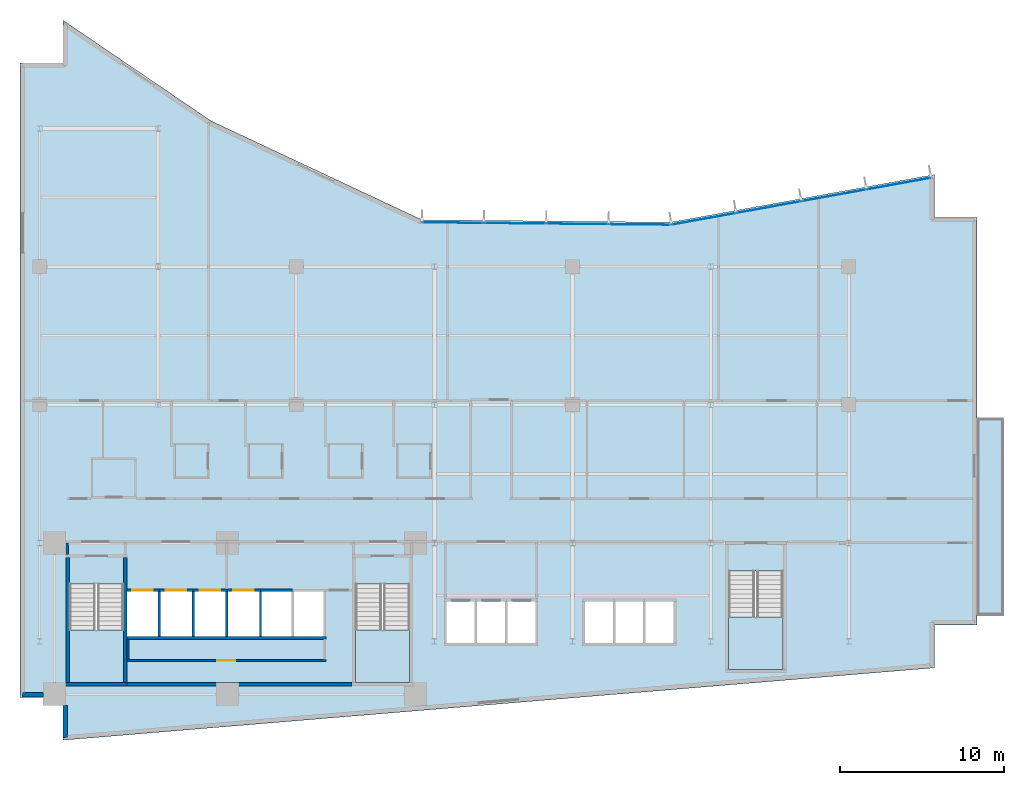
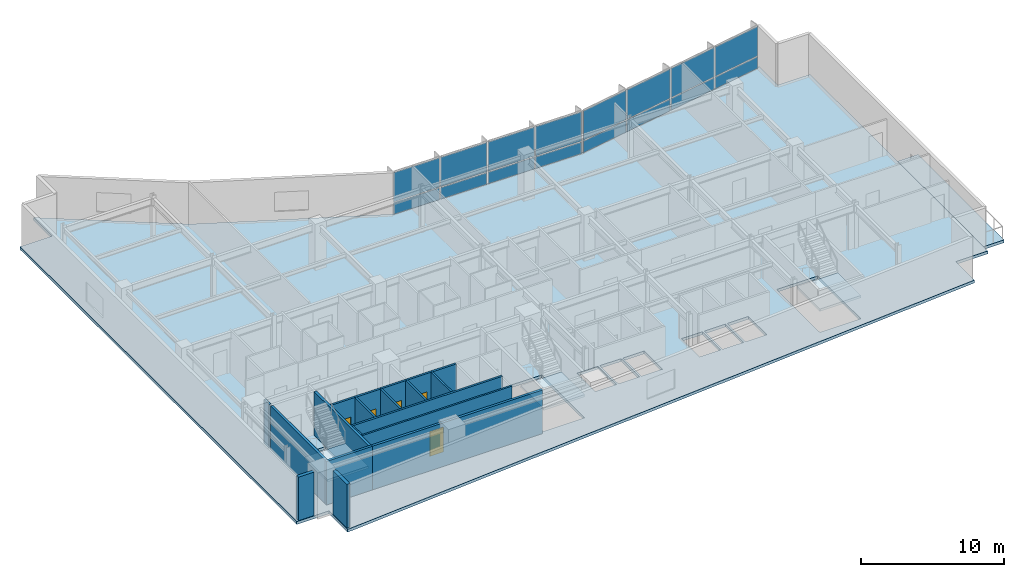
# One storey, part 9 of 18: 19 walls, 16 plates, 5 doors, 5 slabs, 5 openings, 5 elements without a shape of their own.
"""IFC4 building model written with IfcOpenShell, lengths in metres."""

import ifcopenshell
import ifcopenshell.guid

model = None  # the IFC model being written
_history = None  # IfcOwnerHistory: only IFC2X3 demands one
_inside = {}  # id of a spatial element -> (the spatial element, [elements in it])
_under = {}  # id of a project, library or spatial element -> (it, [spatial elements below it])
_declared = {}  # id of a project -> (the project, [libraries it declares])
_typed = {}  # id of a type object -> (the type object, [elements of that type])
_made_of = {}  # id of a material, layer set ... -> (it, [elements and type objects made of it])


def new_model(schema):
    """Start an empty IFC model of exactly this schema.

    Asked for "IFC4X3", IfcOpenShell would pick the latest addendum, in which some entities
    have other attributes; the version numbers below select the first issue.
    IFC2X3 requires an IfcOwnerHistory on every rooted entity: one is made here for all.
    """
    global model, _history
    if schema == "IFC4X3":
        model = ifcopenshell.file(schema_version=(4, 3, 0, 0))
    else:
        model = ifcopenshell.file(schema=schema)
    _inside.clear()
    _under.clear()
    _declared.clear()
    _typed.clear()
    _made_of.clear()
    _history = None
    if model.schema == "IFC2X3":
        org = make("IfcOrganization", Name="unknown")
        user = make(
            "IfcPersonAndOrganization",
            ThePerson=make("IfcPerson", FamilyName="unknown"),
            TheOrganization=org,
        )
        app = make(
            "IfcApplication",
            ApplicationDeveloper=org,
            Version="unknown",
            ApplicationFullName="unknown",
            ApplicationIdentifier="unknown",
        )
        _history = make(
            "IfcOwnerHistory",
            OwningUser=user,
            OwningApplication=app,
            ChangeAction="ADDED",
            CreationDate=0,
        )
    return model


def make(cls, **values):
    """One entity of the class cls with the attributes given. An attribute that is None is left unset."""
    return model.create_entity(
        cls, **{name: value for name, value in values.items() if value is not None}
    )


def rooted(cls, **values):
    """An entity with a GlobalId (a new one), such as an element, a storey or a relation."""
    return make(cls, GlobalId=ifcopenshell.guid.new(), OwnerHistory=_history, **values)


def si_unit(unit_type, name, prefix=None):
    """IfcSIUnit, for example si_unit("LENGTHUNIT", "METRE", prefix="MILLI")."""
    return make("IfcSIUnit", UnitType=unit_type, Prefix=prefix, Name=name)


def assignment(units):
    """IfcUnitAssignment: the units of a project."""
    return None if units is None else make("IfcUnitAssignment", Units=units)


def point(xyz):
    """IfcCartesianPoint."""
    return None if xyz is None else make("IfcCartesianPoint", Coordinates=xyz)


def direction(xyz):
    """IfcDirection."""
    return None if xyz is None else make("IfcDirection", DirectionRatios=xyz)


def frame(location, z_axis=None, x_axis=None):
    """IfcAxis2Placement3D, a coordinate frame: its origin and axes. An axis left out is left unset."""
    return make(
        "IfcAxis2Placement3D",
        Location=point(location),
        Axis=direction(z_axis),
        RefDirection=direction(x_axis),
    )


def frame_2d(location, x_axis=None):
    """IfcAxis2Placement2D, a coordinate frame in the plane: its origin and x axis."""
    return make(
        "IfcAxis2Placement2D", Location=point(location), RefDirection=direction(x_axis)
    )


def origin():
    """The frame at (0, 0, 0) with its axes left unset."""
    return frame((0.0, 0.0, 0.0))


def origin_2d():
    """The frame at (0, 0) in the plane with its x axis left unset."""
    return frame_2d((0.0, 0.0))


def place(relative_to, where):
    """IfcLocalPlacement: puts the frame where relative to a parent placement (None: the world)."""
    return make(
        "IfcLocalPlacement", PlacementRelTo=relative_to, RelativePlacement=where
    )


def context(
    kind, dimensions, precision=None, world=None, true_north=None, identifier=None
):
    """IfcGeometricRepresentationContext, for example the 3D "Model" context."""
    return make(
        "IfcGeometricRepresentationContext",
        ContextIdentifier=identifier,
        ContextType=kind,
        CoordinateSpaceDimension=dimensions,
        Precision=precision,
        WorldCoordinateSystem=world,
        TrueNorth=true_north,
    )


def subcontext(parent, identifier, kind, view, scale=None):
    """IfcGeometricRepresentationSubContext, for example "Body" below "Model"."""
    return make(
        "IfcGeometricRepresentationSubContext",
        ContextIdentifier=identifier,
        ContextType=kind,
        ParentContext=parent,
        TargetScale=scale,
        TargetView=view,
    )


def project(units=None, contexts=None):
    """IfcProject with its units and contexts."""
    return rooted(
        "IfcProject",
        Name="project",
        RepresentationContexts=contexts,
        UnitsInContext=assignment(units),
    )


def spatial(cls, under=None, at=None, **own):
    """A site, building, storey or space (cls), placed at a placement, below another one or the project."""
    s = rooted(cls, ObjectPlacement=at, **own)
    if under is not None:
        _under.setdefault(under.id(), (under, []))[1].append(s)
    return s


def polyline(points):
    """IfcPolyline through the points."""
    return make("IfcPolyline", Points=[point(p) for p in points])


def profile(cls, at=None, kind="AREA", **sizes):
    """A parametric profile (cls). Its sizes go by their IFC names, for example OverallWidth=200.0."""
    return make(cls, ProfileType=kind, Position=at, **sizes)


def rectangle(**sizes):
    """IfcRectangleProfileDef."""
    return profile("IfcRectangleProfileDef", **sizes)


def outline(outer, holes=None, kind="AREA"):
    """IfcArbitraryClosedProfileDef: a profile drawn as a closed curve; with holes, ...WithVoids."""
    if holes is None:
        return make("IfcArbitraryClosedProfileDef", ProfileType=kind, OuterCurve=outer)
    return make(
        "IfcArbitraryProfileDefWithVoids",
        ProfileType=kind,
        OuterCurve=outer,
        InnerCurves=holes,
    )


def extrude(swept, where, along, depth):
    """IfcExtrudedAreaSolid: the profile swept, set in the frame where, extruded along a direction by depth."""
    return make(
        "IfcExtrudedAreaSolid",
        SweptArea=swept,
        Position=where,
        ExtrudedDirection=direction(along),
        Depth=depth,
    )


def shape(context_of_items, identifier, shape_type, items):
    """IfcShapeRepresentation: the items that make up one representation, for example the "Body"."""
    return make(
        "IfcShapeRepresentation",
        ContextOfItems=context_of_items,
        RepresentationIdentifier=identifier,
        RepresentationType=shape_type,
        Items=items,
    )


def material(Name=None, Category=None):
    """IfcMaterial."""
    return make("IfcMaterial", Name=Name, Category=Category)


def layer(
    of_material, thickness, ventilated=None, Name=None, Category=None, Priority=None
):
    """IfcMaterialLayer: one layer of a wall or slab, of a material (None: an air gap)."""
    return make(
        "IfcMaterialLayer",
        Material=of_material,
        LayerThickness=thickness,
        IsVentilated=ventilated,
        Name=Name,
        Category=Category,
        Priority=Priority,
    )


def layer_set(layers, Name=None):
    """IfcMaterialLayerSet."""
    return make("IfcMaterialLayerSet", MaterialLayers=layers, LayerSetName=Name)


def made_of(thing, what):
    """Note that an element or type object is made of a material, layer set ...; save() writes the relation."""
    if what is not None:
        _made_of.setdefault(what.id(), (what, []))[1].append(thing)
    return thing


def type_object(cls, material=None, **own):
    """A type object (cls), such as IfcWallType, which elements share."""
    return made_of(rooted(cls, **own), material)


def element(
    cls,
    number,
    at=None,
    inside=None,
    cuts=None,
    type_object=None,
    material=None,
    context=None,
    identifier="Body",
    shape_type=None,
    held_by="IfcProductDefinitionShape",
    body=None,
    shapes=None,
    **own,
):
    """One element of the class cls, such as IfcWall. Its Tag is "e" and its number.

    at: its placement. inside: the storey or other place that contains it. cuts: it is an
    opening in that element (IfcRelVoidsElement). A single representation is given by context,
    identifier, shape_type and body (its items); several are given by shapes. held_by: the class
    of the entity that holds the representations. save() writes the other relations.
    """
    e = rooted(cls, Tag="e%d" % number, ObjectPlacement=at, **own)
    if body is not None:
        shapes = [shape(context, identifier, shape_type, body)]
    if shapes is not None:
        e.Representation = make(held_by, Representations=shapes)
    if inside is not None:
        _inside.setdefault(inside.id(), (inside, []))[1].append(e)
    if cuts is not None:
        rooted(
            "IfcRelVoidsElement", RelatingBuildingElement=cuts, RelatedOpeningElement=e
        )
    if type_object is not None:
        _typed.setdefault(type_object.id(), (type_object, []))[1].append(e)
    return made_of(e, material)


def fill(opening, filler):
    """IfcRelFillsElement: the door or window that sits in an opening."""
    return rooted(
        "IfcRelFillsElement",
        RelatingOpeningElement=opening,
        RelatedBuildingElement=filler,
    )


def aggregate(whole, parts):
    """IfcRelAggregates: a whole, such as a stair, and the parts it consists of."""
    return rooted("IfcRelAggregates", RelatingObject=whole, RelatedObjects=parts)


def save(model, path):
    """Write the relations noted so far, then the file.

    IfcRelAggregates (storeys below a building ...), IfcRelContainedInSpatialStructure (elements
    in a storey), IfcRelDefinesByType, IfcRelAssociatesMaterial and IfcRelDeclares: one each for
    every whole, place, type object, material and project.
    """
    for whole, parts in _under.values():
        aggregate(whole, parts)
    for where, things in _inside.values():
        rooted(
            "IfcRelContainedInSpatialStructure",
            RelatedElements=things,
            RelatingStructure=where,
        )
    for kind, things in _typed.values():
        rooted("IfcRelDefinesByType", RelatedObjects=things, RelatingType=kind)
    for what, things in _made_of.values():
        rooted("IfcRelAssociatesMaterial", RelatedObjects=things, RelatingMaterial=what)
    for by, libraries in _declared.values():
        rooted("IfcRelDeclares", RelatingContext=by, RelatedDefinitions=libraries)
    model.write(path)


model = new_model("IFC4")

# Units and contexts
model_context = context("Model", 3, precision=1e-05, world=origin(), true_north=direction((0.0, 1.0)))
body_context = subcontext(model_context, "Body", "Model", "MODEL_VIEW")
ifc_project = project(units=[si_unit("LENGTHUNIT", "METRE"), si_unit("AREAUNIT", "SQUARE_METRE"), si_unit("VOLUMEUNIT", "CUBIC_METRE"), si_unit("PLANEANGLEUNIT", "RADIAN"), si_unit("MASSUNIT", "GRAM", prefix="KILO")], contexts=[model_context])

# Site, building, storey
site_placement = place(None, origin())
site = spatial("IfcSite", under=ifc_project, at=site_placement, CompositionType="ELEMENT")
building_placement = place(site_placement, origin())
building = spatial("IfcBuilding", under=site, at=building_placement, Name="Varnakote Quay Hospital", CompositionType="ELEMENT")
storey_placement = place(building_placement, frame((0.0, 0.0, 69.89990234375)))
storey = spatial("IfcBuildingStorey", under=building, at=storey_placement, Name="L17", CompositionType="ELEMENT", Elevation=69.89990234375)

# Curtain wall, plates
ifc_material_1 = material(Name="Anodised aluminium 6063-T6 Bronze", Category="aluminium")
ifc_layer_1 = layer(ifc_material_1, 0.18994140625)
ifc_layer_set_1 = layer_set([ifc_layer_1], Name="Anodised aluminium 6063-T6 Bronze")
curtain_wall_type = type_object("IfcCurtainWallType", Name="CW-SYS-2", PredefinedType="NOTDEFINED", material=ifc_layer_set_1)
curtain_wall_1_placement = place(storey_placement, origin())
curtain_wall_1 = element("IfcCurtainWall", 1, at=curtain_wall_1_placement, inside=storey, type_object=curtain_wall_type, Name="L17 Unitised Bronze Curtain Wall 1", PredefinedType="NOTDEFINED")
ifc_material_2 = material(Name="Double-glazed acoustic laminated glass", Category="glass")
ifc_layer_2 = layer(ifc_material_2, 0.031982421875)
ifc_layer_set_2 = layer_set([ifc_layer_2], Name="Double-glazed acoustic laminated glass")
plate_type = type_object("IfcPlateType", Name="CW-PNL-GLZ-32", PredefinedType="CURTAIN_PANEL", material=ifc_layer_set_2)
plate_1_placement = place(storey_placement, frame((53.440185546875, 33.84716796875, 0.0751953125), z_axis=(0.0, 0.0, 1.0), x_axis=(-0.984058295766, -0.177846199098, 0.0)))
plate_1 = element("IfcPlate", 2, at=plate_1_placement, type_object=plate_type, Name="-2-L17-1 panel 1.1", PredefinedType="CURTAIN_PANEL", context=body_context, shape_type="SweptSolid", body=[
    extrude(rectangle(XDim=3.914306640625, YDim=0.031982421875, at=origin_2d()), origin(), (0.0, 0.0, 1.0), 0.987548828125),
])
plate_2_placement = place(storey_placement, frame((53.440185546875, 33.84716796875, 1.137451171875), z_axis=(0.0, 0.0, 1.0), x_axis=(-0.984058295766, -0.177846199098, 0.0)))
plate_2 = element("IfcPlate", 3, at=plate_2_placement, type_object=plate_type, Name="-2-L17-1 panel 1.2", PredefinedType="CURTAIN_PANEL", context=body_context, shape_type="SweptSolid", body=[
    extrude(rectangle(XDim=3.914306640625, YDim=0.031982421875, at=origin_2d()), origin(), (0.0, 0.0, 1.0), 2.49755859375),
])
plate_3_placement = place(storey_placement, frame((49.49609375, 33.13427734375, 0.0751953125), z_axis=(0.0, 0.0, 1.0), x_axis=(-0.984058295766, -0.177846199098, 0.0)))
plate_3 = element("IfcPlate", 4, at=plate_3_placement, type_object=plate_type, Name="-2-L17-1 panel 2.1", PredefinedType="CURTAIN_PANEL", context=body_context, shape_type="SweptSolid", body=[
    extrude(rectangle(XDim=3.951904296875, YDim=0.031982421875, at=origin_2d()), origin(), (0.0, 0.0, 1.0), 0.987548828125),
])
plate_4_placement = place(storey_placement, frame((49.49609375, 33.13427734375, 1.137451171875), z_axis=(0.0, 0.0, 1.0), x_axis=(-0.984058295766, -0.177846199098, 0.0)))
plate_4 = element("IfcPlate", 5, at=plate_4_placement, type_object=plate_type, Name="-2-L17-1 panel 2.2", PredefinedType="CURTAIN_PANEL", context=body_context, shape_type="SweptSolid", body=[
    extrude(rectangle(XDim=3.951904296875, YDim=0.031982421875, at=origin_2d()), origin(), (0.0, 0.0, 1.0), 2.49755859375),
])
plate_5_placement = place(storey_placement, frame((45.533447265625, 32.418212890625, 0.0751953125), z_axis=(0.0, 0.0, 1.0), x_axis=(-0.984058295766, -0.177846199098, 0.0)))
plate_5 = element("IfcPlate", 6, at=plate_5_placement, type_object=plate_type, Name="-2-L17-1 panel 3.1", PredefinedType="CURTAIN_PANEL", context=body_context, shape_type="SweptSolid", body=[
    extrude(rectangle(XDim=3.951904296875, YDim=0.031982421875, at=origin_2d()), origin(), (0.0, 0.0, 1.0), 0.987548828125),
])
plate_6_placement = place(storey_placement, frame((45.533447265625, 32.418212890625, 1.137451171875), z_axis=(0.0, 0.0, 1.0), x_axis=(-0.984058295766, -0.177846199098, 0.0)))
plate_6 = element("IfcPlate", 7, at=plate_6_placement, type_object=plate_type, Name="-2-L17-1 panel 3.2", PredefinedType="CURTAIN_PANEL", context=body_context, shape_type="SweptSolid", body=[
    extrude(rectangle(XDim=3.951904296875, YDim=0.031982421875, at=origin_2d()), origin(), (0.0, 0.0, 1.0), 2.49755859375),
])
plate_7_placement = place(storey_placement, frame((41.58935546875, 31.705322265625, 0.0751953125), z_axis=(0.0, 0.0, 1.0), x_axis=(-0.984058295766, -0.177846199098, 0.0)))
plate_7 = element("IfcPlate", 8, at=plate_7_placement, type_object=plate_type, Name="-2-L17-1 panel 4.1", PredefinedType="CURTAIN_PANEL", context=body_context, shape_type="SweptSolid", body=[
    extrude(rectangle(XDim=3.914306640625, YDim=0.031982421875, at=origin_2d()), origin(), (0.0, 0.0, 1.0), 0.987548828125),
])
plate_8_placement = place(storey_placement, frame((41.58935546875, 31.705322265625, 1.137451171875), z_axis=(0.0, 0.0, 1.0), x_axis=(-0.984058295766, -0.177846199098, 0.0)))
plate_8 = element("IfcPlate", 9, at=plate_8_placement, type_object=plate_type, Name="-2-L17-1 panel 4.2", PredefinedType="CURTAIN_PANEL", context=body_context, shape_type="SweptSolid", body=[
    extrude(rectangle(XDim=3.914306640625, YDim=0.031982421875, at=origin_2d()), origin(), (0.0, 0.0, 1.0), 2.49755859375),
])
aggregate(curtain_wall_1, [plate_1, plate_2, plate_3, plate_4, plate_5, plate_6, plate_7, plate_8])

curtain_wall_2_placement = place(storey_placement, origin())
curtain_wall_2 = element("IfcCurtainWall", 10, at=curtain_wall_2_placement, inside=storey, type_object=curtain_wall_type, Name="L17 Unitised Bronze Curtain Wall 2", PredefinedType="NOTDEFINED")
plate_9_placement = place(storey_placement, frame((37.673095703125, 31.362548828125, 0.0751953125), z_axis=(0.0, 0.0, 1.0), x_axis=(-0.999952230718, 0.009774266312, 0.0)))
plate_9 = element("IfcPlate", 11, at=plate_9_placement, type_object=plate_type, Name="-2-L17-2 panel 1.1", PredefinedType="CURTAIN_PANEL", context=body_context, shape_type="SweptSolid", body=[
    extrude(rectangle(XDim=3.68310546875, YDim=0.031982421875, at=origin_2d()), origin(), (0.0, 0.0, 1.0), 0.987548828125),
])
plate_10_placement = place(storey_placement, frame((37.673095703125, 31.362548828125, 1.137451171875), z_axis=(0.0, 0.0, 1.0), x_axis=(-0.999952230718, 0.009774266312, 0.0)))
plate_10 = element("IfcPlate", 12, at=plate_10_placement, type_object=plate_type, Name="-2-L17-2 panel 1.2", PredefinedType="CURTAIN_PANEL", context=body_context, shape_type="SweptSolid", body=[
    extrude(rectangle(XDim=3.68310546875, YDim=0.031982421875, at=origin_2d()), origin(), (0.0, 0.0, 1.0), 2.49755859375),
])
plate_11_placement = place(storey_placement, frame((33.896240234375, 31.399658203125, 0.0751953125), z_axis=(0.0, 0.0, 1.0), x_axis=(-0.999952230718, 0.009774266312, 0.0)))
plate_11 = element("IfcPlate", 13, at=plate_11_placement, type_object=plate_type, Name="-2-L17-2 panel 2.1", PredefinedType="CURTAIN_PANEL", context=body_context, shape_type="SweptSolid", body=[
    extrude(rectangle(XDim=3.720703125, YDim=0.031982421875, at=origin_2d()), origin(), (0.0, 0.0, 1.0), 0.987548828125),
])
plate_12_placement = place(storey_placement, frame((33.896240234375, 31.399658203125, 1.137451171875), z_axis=(0.0, 0.0, 1.0), x_axis=(-0.999952230718, 0.009774266312, 0.0)))
plate_12 = element("IfcPlate", 14, at=plate_12_placement, type_object=plate_type, Name="-2-L17-2 panel 2.2", PredefinedType="CURTAIN_PANEL", context=body_context, shape_type="SweptSolid", body=[
    extrude(rectangle(XDim=3.720703125, YDim=0.031982421875, at=origin_2d()), origin(), (0.0, 0.0, 1.0), 2.49755859375),
])
plate_13_placement = place(storey_placement, frame((30.100830078125, 31.436767578125, 0.0751953125), z_axis=(0.0, 0.0, 1.0), x_axis=(-0.999952230718, 0.009774266312, 0.0)))
plate_13 = element("IfcPlate", 15, at=plate_13_placement, type_object=plate_type, Name="-2-L17-2 panel 3.1", PredefinedType="CURTAIN_PANEL", context=body_context, shape_type="SweptSolid", body=[
    extrude(rectangle(XDim=3.720703125, YDim=0.031982421875, at=origin_2d()), origin(), (0.0, 0.0, 1.0), 0.987548828125),
])
plate_14_placement = place(storey_placement, frame((30.100830078125, 31.436767578125, 1.137451171875), z_axis=(0.0, 0.0, 1.0), x_axis=(-0.999952230718, 0.009774266312, 0.0)))
plate_14 = element("IfcPlate", 16, at=plate_14_placement, type_object=plate_type, Name="-2-L17-2 panel 3.2", PredefinedType="CURTAIN_PANEL", context=body_context, shape_type="SweptSolid", body=[
    extrude(rectangle(XDim=3.720703125, YDim=0.031982421875, at=origin_2d()), origin(), (0.0, 0.0, 1.0), 2.49755859375),
])
plate_15_placement = place(storey_placement, frame((26.32421875, 31.4736328125, 0.0751953125), z_axis=(0.0, 0.0, 1.0), x_axis=(-0.999952230718, 0.009774266312, 0.0)))
plate_15 = element("IfcPlate", 17, at=plate_15_placement, type_object=plate_type, Name="-2-L17-2 panel 4.1", PredefinedType="CURTAIN_PANEL", context=body_context, shape_type="SweptSolid", body=[
    extrude(rectangle(XDim=3.68310546875, YDim=0.031982421875, at=origin_2d()), origin(), (0.0, 0.0, 1.0), 0.987548828125),
])
plate_16_placement = place(storey_placement, frame((26.32421875, 31.4736328125, 1.137451171875), z_axis=(0.0, 0.0, 1.0), x_axis=(-0.999952230718, 0.009774266312, 0.0)))
plate_16 = element("IfcPlate", 18, at=plate_16_placement, type_object=plate_type, Name="-2-L17-2 panel 4.2", PredefinedType="CURTAIN_PANEL", context=body_context, shape_type="SweptSolid", body=[
    extrude(rectangle(XDim=3.68310546875, YDim=0.031982421875, at=origin_2d()), origin(), (0.0, 0.0, 1.0), 2.49755859375),
])
aggregate(curtain_wall_2, [plate_9, plate_10, plate_11, plate_12, plate_13, plate_14, plate_15, plate_16])

# Stair, slab
ifc_material_3 = material(Name="Concrete N40 (f'c 40 MPa)", Category="concrete")
stair_type = type_object("IfcStairType", Name="STR-CORE-1580", PredefinedType="HALF_TURN_STAIR", material=ifc_material_3)
stair_1_placement = place(storey_placement, origin())
stair_1 = element("IfcStair", 19, at=stair_1_placement, inside=storey, type_object=stair_type, Name="L17 Fire-Isolated Exit Stair ST-01", PredefinedType="HALF_TURN_STAIR")
ifc_material_4 = material(Name="Concrete N40 (f'c 40 MPa)", Category="concrete")
ifc_layer_3 = layer(ifc_material_4, 0.199951171875)
ifc_layer_set_3 = layer_set([ifc_layer_3], Name="Concrete N40 (f'c 40 MPa)")
slab_type_1 = type_object("IfcSlabType", Name="SLB-STAIR-LND-200", PredefinedType="LANDING", material=ifc_layer_set_3)
slab_1_placement = place(storey_placement, frame((0.0, 0.0, 1.775146484375)))
slab_1 = element("IfcSlab", 20, at=slab_1_placement, type_object=slab_type_1, Name="ST-01 landing 1", PredefinedType="LANDING", context=body_context, shape_type="SweptSolid", body=[
    extrude(outline(polyline([(3.0, 6.699951171875), (3.0, 3.5), (6.300048828125, 3.5), (6.300048828125, 6.699951171875), (3.0, 6.699951171875)])), origin(), (0.0, 0.0, 1.0), 0.199951171875),
])
aggregate(stair_1, [slab_1])

stair_2_placement = place(storey_placement, origin())
stair_2 = element("IfcStair", 21, at=stair_2_placement, inside=storey, type_object=stair_type, Name="L17 Fire-Isolated Exit Stair ST-02", PredefinedType="HALF_TURN_STAIR")
slab_2_placement = place(storey_placement, frame((0.0, 0.0, 1.775146484375)))
slab_2 = element("IfcSlab", 22, at=slab_2_placement, type_object=slab_type_1, Name="ST-02 landing 1", PredefinedType="LANDING", context=body_context, shape_type="SweptSolid", body=[
    extrude(outline(polyline([(20.39990234375, 6.699951171875), (20.39990234375, 3.5), (23.699951171875, 3.5), (23.699951171875, 6.699951171875), (20.39990234375, 6.699951171875)])), origin(), (0.0, 0.0, 1.0), 0.199951171875),
])
aggregate(stair_2, [slab_2])

stair_3_placement = place(storey_placement, origin())
stair_3 = element("IfcStair", 23, at=stair_3_placement, inside=storey, type_object=stair_type, Name="L17 Fire-Isolated Exit Stair ST-03", PredefinedType="HALF_TURN_STAIR")
slab_3_placement = place(storey_placement, frame((0.0, 0.0, 1.775146484375)))
slab_3 = element("IfcSlab", 24, at=slab_3_placement, type_object=slab_type_1, Name="ST-03 landing 1", PredefinedType="LANDING", context=body_context, shape_type="SweptSolid", body=[
    extrude(outline(polyline([(43.10009765625, 7.5), (43.10009765625, 4.300048828125), (46.39990234375, 4.300048828125), (46.39990234375, 7.5), (43.10009765625, 7.5)])), origin(), (0.0, 0.0, 1.0), 0.199951171875),
])
aggregate(stair_3, [slab_3])

# Slabs
ifc_material_5 = material(Name="Concrete N50 (f'c 50 MPa)", Category="concrete")
ifc_layer_4 = layer(ifc_material_5, 0.239990234375)
ifc_layer_set_4 = layer_set([ifc_layer_4], Name="Concrete N50 (f'c 50 MPa)")
slab_type_2 = type_object("IfcSlabType", Name="SLB-TERR-200", PredefinedType="FLOOR", material=ifc_layer_set_4)
slab_4_placement = place(storey_placement, frame((0.0, 0.0, -0.239990234375)))
element("IfcSlab", 25, at=slab_4_placement, inside=storey, type_object=slab_type_2, Name="L17 Waterfront Healing Terrace Slab", PredefinedType="FLOOR", context=body_context, shape_type="SweptSolid", body=[
    extrude(outline(polyline([(58.196044921875, 19.60009765625), (58.196044921875, 7.60009765625), (59.840087890625, 7.60009765625), (59.840087890625, 19.60009765625), (58.196044921875, 19.60009765625)])), origin(), (0.0, 0.0, 1.0), 0.239990234375),
])
ifc_material_6 = material(Name="Concrete N50 (f'c 50 MPa)", Category="concrete")
ifc_layer_5 = layer(ifc_material_6, 0.239990234375)
ifc_layer_set_5 = layer_set([ifc_layer_5], Name="Concrete N50 (f'c 50 MPa)")
slab_type_3 = type_object("IfcSlabType", Name="SLB-WARD-200", PredefinedType="FLOOR", material=ifc_layer_set_5)
slab_5_placement = place(storey_placement, frame((0.0, 0.0, -0.239990234375)))
element("IfcSlab", 26, at=slab_5_placement, inside=storey, type_object=slab_type_3, Name="L17 Primary Floor Slab", PredefinedType="FLOOR", context=body_context, shape_type="SweptSolid", body=[
    extrude(outline(polyline([(0.0, 2.60009765625), (2.60009765625, 2.60009765625), (2.60009765625, 0.0), (55.60009765625, 4.39990234375), (55.60009765625, 7.0), (58.199951171875, 7.0), (58.199951171875, 31.800048828125), (55.60009765625, 31.800048828125), (55.60009765625, 34.39990234375), (39.575927734375, 31.50390625), (24.444091796875, 31.652099609375), (11.639892578125, 37.656005859375), (2.60009765625, 43.800048828125), (2.60009765625, 41.199951171875), (0.0, 41.199951171875), (0.0, 2.60009765625)]), holes=[polyline([(3.0, 3.5), (6.300048828125, 3.5), (6.300048828125, 9.49951171875), (3.0, 9.49951171875), (3.0, 3.5)]), polyline([(20.39990234375, 3.5), (23.699951171875, 3.5), (23.699951171875, 9.49951171875), (20.39990234375, 9.49951171875), (20.39990234375, 3.5)]), polyline([(43.10009765625, 4.300048828125), (46.39990234375, 4.300048828125), (46.39990234375, 10.29931640625), (43.10009765625, 10.29931640625), (43.10009765625, 4.300048828125)]), polyline([(6.5, 6.300048828125), (8.39990234375, 6.300048828125), (8.39990234375, 9.050048828125), (6.5, 9.050048828125), (6.5, 6.300048828125)]), polyline([(8.550048828125, 6.300048828125), (10.449951171875, 6.300048828125), (10.449951171875, 9.050048828125), (8.550048828125, 9.050048828125), (8.550048828125, 6.300048828125)]), polyline([(10.60009765625, 6.300048828125), (12.5, 6.300048828125), (12.5, 9.050048828125), (10.60009765625, 9.050048828125), (10.60009765625, 6.300048828125)]), polyline([(12.64990234375, 6.300048828125), (14.550048828125, 6.300048828125), (14.550048828125, 9.050048828125), (12.64990234375, 9.050048828125), (12.64990234375, 6.300048828125)]), polyline([(14.699951171875, 6.300048828125), (16.5, 6.300048828125), (16.5, 9.050048828125), (14.699951171875, 9.050048828125), (14.699951171875, 6.300048828125)]), polyline([(16.64990234375, 6.300048828125), (18.449951171875, 6.300048828125), (18.449951171875, 9.050048828125), (16.64990234375, 9.050048828125), (16.64990234375, 6.300048828125)]), polyline([(25.949951171875, 5.89990234375), (27.64990234375, 5.89990234375), (27.64990234375, 8.449951171875), (25.949951171875, 8.449951171875), (25.949951171875, 5.89990234375)]), polyline([(27.800048828125, 5.89990234375), (29.5, 5.89990234375), (29.5, 8.449951171875), (27.800048828125, 8.449951171875), (27.800048828125, 5.89990234375)]), polyline([(29.64990234375, 5.89990234375), (31.35009765625, 5.89990234375), (31.35009765625, 8.449951171875), (29.64990234375, 8.449951171875), (29.64990234375, 5.89990234375)]), polyline([(34.35009765625, 5.89990234375), (36.050048828125, 5.89990234375), (36.050048828125, 8.449951171875), (34.35009765625, 8.449951171875), (34.35009765625, 5.89990234375)]), polyline([(36.199951171875, 5.89990234375), (37.89990234375, 5.89990234375), (37.89990234375, 8.449951171875), (36.199951171875, 8.449951171875), (36.199951171875, 5.89990234375)]), polyline([(38.050048828125, 5.89990234375), (39.75, 5.89990234375), (39.75, 8.449951171875), (38.050048828125, 8.449951171875), (38.050048828125, 5.89990234375)])]), origin(), (0.0, 0.0, 1.0), 0.239990234375),
])

# Walls
ifc_material_7 = material(Name="Fire-rated acoustic gypsum stud wall", Category="gypsum")
ifc_layer_6 = layer(ifc_material_7, 0.159912109375)
ifc_layer_set_6 = layer_set([ifc_layer_6], Name="Fire-rated acoustic gypsum stud wall")
wall_type_1 = type_object("IfcWallType", Name="WL-COMP-160", PredefinedType="PARTITIONING", material=ifc_layer_set_6)
wall_1_placement = place(storey_placement, frame((2.8798828125, 11.300048828125, 0.0), z_axis=(0.0, 0.0, 1.0), x_axis=(0.0, 1.0, 0.0)))
element("IfcWall", 27, at=wall_1_placement, inside=storey, type_object=wall_type_1, Name="L17 West Stair Vestibule West Wall", PredefinedType="PARTITIONING", context=body_context, shape_type="SweptSolid", body=[
    extrude(rectangle(XDim=0.699951171875, YDim=0.159912109375, at=frame_2d((0.35009765625, 0.0))), origin(), (0.0, 0.0, 1.0), 3.710205078125),
])
ifc_material_8 = material(Name="Concrete N80 (f'c 80 MPa)", Category="concrete")
ifc_layer_7 = layer(ifc_material_8, 0.199951171875)
ifc_layer_set_7 = layer_set([ifc_layer_7], Name="Concrete N80 (f'c 80 MPa)")
wall_type_2 = type_object("IfcWallType", Name="WL-CORE-N80-200", PredefinedType="SHEAR", material=ifc_layer_set_7)
wall_2_placement = place(storey_placement, frame((6.5, 3.39990234375, 0.0), z_axis=(0.0, 0.0, 1.0), x_axis=(1.0, 0.0, 0.0)))
element("IfcWall", 28, at=wall_2_placement, inside=storey, type_object=wall_type_2, Name="L17 Rear Core South Shear Wall", PredefinedType="SHEAR", context=body_context, shape_type="SweptSolid", body=[
    extrude(rectangle(XDim=13.699951171875, YDim=0.199951171875, at=frame_2d((6.85009765625, 0.0))), origin(), (0.0, 0.0, 1.0), 3.710205078125),
])
ifc_material_9 = material(Name="Precast concrete N50 (f'c 50 MPa)", Category="concrete")
ifc_layer_8 = layer(ifc_material_9, 0.260009765625)
ifc_layer_set_8 = layer_set([ifc_layer_8], Name="Precast concrete N50 (f'c 50 MPa)")
wall_type_3 = type_object("IfcWallType", Name="WL-EXT-BRICK-260", PredefinedType="STANDARD", material=ifc_layer_set_8)
wall_3_placement = place(storey_placement, frame((2.760009765625, 2.114990234375, 0.0), z_axis=(0.0, 0.0, 1.0), x_axis=(0.0, -1.0, 0.0)))
element("IfcWall", 29, at=wall_3_placement, inside=storey, type_object=wall_type_3, Name="L17 Brick-Faced Precast Exterior Wall", PredefinedType="STANDARD", context=body_context, shape_type="SweptSolid", body=[
    extrude(rectangle(XDim=1.941162109375, YDim=0.260009765625, at=frame_2d((0.970703125, 0.0))), origin(), (0.0, 0.0, 1.0), 3.710205078125),
])
wall_4_placement = place(storey_placement, frame((0.159912109375, 2.760009765625, 0.0), z_axis=(0.0, 0.0, 1.0), x_axis=(1.0, 0.0, 0.0)))
element("IfcWall", 30, at=wall_4_placement, inside=storey, type_object=wall_type_3, Name="L17 Brick-Faced Precast Exterior Wall", PredefinedType="STANDARD", context=body_context, shape_type="SweptSolid", body=[
    extrude(rectangle(XDim=1.255126953125, YDim=0.260009765625, at=frame_2d((0.62744140625, 0.0))), origin(), (0.0, 0.0, 1.0), 3.710205078125),
])
ifc_material_10 = material(Name="Concrete N50 (f'c 50 MPa)", Category="concrete")
ifc_layer_9 = layer(ifc_material_10, 0.14990234375)
ifc_layer_set_9 = layer_set([ifc_layer_9], Name="Concrete N50 (f'c 50 MPa)")
wall_type_4 = type_object("IfcWallType", Name="WL-SHAFT-N50-150", PredefinedType="SHEAR", material=ifc_layer_set_9)
for number, where, z_axis, x_axis, name in (
    (31, (8.47509765625, 6.300048828125, 0.0), (0.0, 0.0, 1.0), (0.0, 1.0, 0.0), "L17 LF-FF1 Hoistway Divider Wall"),
    (32, (10.52490234375, 6.300048828125, 0.0), (0.0, 0.0, 1.0), (0.0, 1.0, 0.0), "L17 LF-FF2 Hoistway Divider Wall"),
    (33, (12.574951171875, 6.300048828125, 0.0), (0.0, 0.0, 1.0), (0.0, 1.0, 0.0), "L17 LF-SV1 Hoistway Divider Wall"),
    (34, (14.625, 6.300048828125, 0.0), (0.0, 0.0, 1.0), (0.0, 1.0, 0.0), "L17 LF-SV2 Hoistway Divider Wall"),
):
    element("IfcWall", number, at=place(storey_placement, frame(where, z_axis=z_axis, x_axis=x_axis)), inside=storey, type_object=wall_type_4, Name=name, PredefinedType="SHEAR", context=body_context, shape_type="SweptSolid", body=[
        extrude(rectangle(XDim=2.75, YDim=0.14990234375, at=frame_2d((1.375, 0.0))), origin(), (0.0, 0.0, 1.0), 3.710205078125),
    ])
ifc_material_11 = material(Name="Concrete N50 (f'c 50 MPa)", Category="concrete")
ifc_layer_10 = layer(ifc_material_11, 0.159912109375)
ifc_layer_set_10 = layer_set([ifc_layer_10], Name="Concrete N50 (f'c 50 MPa)")
wall_type_5 = type_object("IfcWallType", Name="WL-SHAFT-N50-160", PredefinedType="SHEAR", material=ifc_layer_set_10)
wall_5_placement = place(storey_placement, frame((6.5, 6.219970703125, 0.0), z_axis=(0.0, 0.0, 1.0), x_axis=(1.0, 0.0, 0.0)))
element("IfcWall", 35, at=wall_5_placement, inside=storey, type_object=wall_type_5, Name="L17 REAR Lift Bank Back Shear Wall", PredefinedType="SHEAR", context=body_context, shape_type="SweptSolid", body=[
    extrude(rectangle(XDim=12.110107421875, YDim=0.159912109375, at=frame_2d((6.05517578125, 0.0))), origin(), (0.0, 0.0, 1.0), 3.710205078125),
])

# Wall, opening, door
wall_6_placement = place(storey_placement, frame((6.5, 9.1298828125, 0.0), z_axis=(0.0, 0.0, 1.0), x_axis=(1.0, 0.0, 0.0)))
wall_6 = element("IfcWall", 36, at=wall_6_placement, inside=storey, type_object=wall_type_5, Name="L17 LF-FF1 Hoistway Front Wall", PredefinedType="SHEAR", context=body_context, shape_type="SweptSolid", body=[
    extrude(rectangle(XDim=1.97509765625, YDim=0.159912109375, at=frame_2d((0.987548828125, 0.0))), origin(), (0.0, 0.0, 1.0), 3.710205078125),
])
opening_1_placement = place(wall_6_placement, frame((0.324951171875, 0.0, 0.0)))
opening_1 = element("IfcOpeningElement", 37, at=opening_1_placement, cuts=wall_6, Name="Opening LD-FF1-L17", PredefinedType="OPENING", context=body_context, shape_type="SweptSolid", body=[
    extrude(rectangle(XDim=1.25, YDim=2.14990234375, at=frame_2d((0.625, 1.074951171875))), frame((0.0, 0.08984375, 0.0), z_axis=(0.0, -1.0, 0.0), x_axis=(1.0, 0.0, 0.0)), (0.0, 0.0, 1.0), 0.179931640625),
])
ifc_material_12 = material(Name="Stainless steel lift landing sliding door", Category="steel")
door_type_1 = type_object("IfcDoorType", Name="DR-LIFT-LD-1250x2150", OperationType="NOTDEFINED", PredefinedType="DOOR", material=ifc_material_12)
door_1_placement = place(opening_1_placement, origin())
door_1 = element("IfcDoor", 38, at=door_1_placement, inside=storey, type_object=door_type_1, Name="L17 LF-FF1 Lift Landing Sliding Door", OperationType="SLIDING_TO_LEFT", OverallHeight=2.14990234375, OverallWidth=1.25, PredefinedType="DOOR", context=body_context, shape_type="SweptSolid", body=[
    extrude(rectangle(XDim=1.25, YDim=2.14990234375, at=frame_2d((0.625, 1.074951171875))), frame((0.0, 0.02490234375, 0.0), z_axis=(0.0, -1.0, 0.0), x_axis=(1.0, 0.0, 0.0)), (0.0, 0.0, 1.0), 0.050048828125),
])
fill(opening_1, door_1)

wall_7_placement = place(storey_placement, frame((8.47509765625, 9.1298828125, 0.0), z_axis=(0.0, 0.0, 1.0), x_axis=(1.0, 0.0, 0.0)))
wall_7 = element("IfcWall", 39, at=wall_7_placement, inside=storey, type_object=wall_type_5, Name="L17 LF-FF2 Hoistway Front Wall", PredefinedType="SHEAR", context=body_context, shape_type="SweptSolid", body=[
    extrude(rectangle(XDim=2.0498046875, YDim=0.159912109375, at=frame_2d((1.02490234375, 0.0))), origin(), (0.0, 0.0, 1.0), 3.710205078125),
])
opening_2_placement = place(wall_7_placement, frame((0.39990234375, 0.0, 0.0)))
opening_2 = element("IfcOpeningElement", 40, at=opening_2_placement, cuts=wall_7, Name="Opening LD-FF2-L17", PredefinedType="OPENING", context=body_context, shape_type="SweptSolid", body=[
    extrude(rectangle(XDim=1.25, YDim=2.14990234375, at=frame_2d((0.625, 1.074951171875))), frame((0.0, 0.08984375, 0.0), z_axis=(0.0, -1.0, 0.0), x_axis=(1.0, 0.0, 0.0)), (0.0, 0.0, 1.0), 0.179931640625),
])
door_2_placement = place(opening_2_placement, origin())
door_2 = element("IfcDoor", 41, at=door_2_placement, inside=storey, type_object=door_type_1, Name="L17 LF-FF2 Lift Landing Sliding Door", OperationType="SLIDING_TO_LEFT", OverallHeight=2.14990234375, OverallWidth=1.25, PredefinedType="DOOR", context=body_context, shape_type="SweptSolid", body=[
    extrude(rectangle(XDim=1.25, YDim=2.14990234375, at=frame_2d((0.625, 1.074951171875))), frame((0.0, 0.02490234375, 0.0), z_axis=(0.0, -1.0, 0.0), x_axis=(1.0, 0.0, 0.0)), (0.0, 0.0, 1.0), 0.050048828125),
])
fill(opening_2, door_2)

wall_8_placement = place(storey_placement, frame((10.52490234375, 9.1298828125, 0.0), z_axis=(0.0, 0.0, 1.0), x_axis=(1.0, 0.0, 0.0)))
wall_8 = element("IfcWall", 42, at=wall_8_placement, inside=storey, type_object=wall_type_5, Name="L17 LF-SV1 Hoistway Front Wall", PredefinedType="SHEAR", context=body_context, shape_type="SweptSolid", body=[
    extrude(rectangle(XDim=2.050048828125, YDim=0.159912109375, at=frame_2d((1.02490234375, 0.0))), origin(), (0.0, 0.0, 1.0), 3.710205078125),
])
opening_3_placement = place(wall_8_placement, frame((0.39990234375, 0.0, 0.0)))
opening_3 = element("IfcOpeningElement", 43, at=opening_3_placement, cuts=wall_8, Name="Opening LD-SV1-L17", PredefinedType="OPENING", context=body_context, shape_type="SweptSolid", body=[
    extrude(rectangle(XDim=1.25, YDim=2.14990234375, at=frame_2d((0.625, 1.074951171875))), frame((0.0, 0.08984375, 0.0), z_axis=(0.0, -1.0, 0.0), x_axis=(1.0, 0.0, 0.0)), (0.0, 0.0, 1.0), 0.179931640625),
])
door_3_placement = place(opening_3_placement, origin())
door_3 = element("IfcDoor", 44, at=door_3_placement, inside=storey, type_object=door_type_1, Name="L17 LF-SV1 Lift Landing Sliding Door", OperationType="SLIDING_TO_LEFT", OverallHeight=2.14990234375, OverallWidth=1.25, PredefinedType="DOOR", context=body_context, shape_type="SweptSolid", body=[
    extrude(rectangle(XDim=1.25, YDim=2.14990234375, at=frame_2d((0.625, 1.074951171875))), frame((0.0, 0.02490234375, 0.0), z_axis=(0.0, -1.0, 0.0), x_axis=(1.0, 0.0, 0.0)), (0.0, 0.0, 1.0), 0.050048828125),
])
fill(opening_3, door_3)

wall_9_placement = place(storey_placement, frame((12.574951171875, 9.1298828125, 0.0), z_axis=(0.0, 0.0, 1.0), x_axis=(1.0, 0.0, 0.0)))
wall_9 = element("IfcWall", 45, at=wall_9_placement, inside=storey, type_object=wall_type_5, Name="L17 LF-SV2 Hoistway Front Wall", PredefinedType="SHEAR", context=body_context, shape_type="SweptSolid", body=[
    extrude(rectangle(XDim=2.050048828125, YDim=0.159912109375, at=frame_2d((1.02490234375, 0.0))), origin(), (0.0, 0.0, 1.0), 3.710205078125),
])
opening_4_placement = place(wall_9_placement, frame((0.39990234375, 0.0, 0.0)))
opening_4 = element("IfcOpeningElement", 46, at=opening_4_placement, cuts=wall_9, Name="Opening LD-SV2-L17", PredefinedType="OPENING", context=body_context, shape_type="SweptSolid", body=[
    extrude(rectangle(XDim=1.25, YDim=2.14990234375, at=frame_2d((0.625, 1.074951171875))), frame((0.0, 0.08984375, 0.0), z_axis=(0.0, -1.0, 0.0), x_axis=(1.0, 0.0, 0.0)), (0.0, 0.0, 1.0), 0.179931640625),
])
door_4_placement = place(opening_4_placement, origin())
door_4 = element("IfcDoor", 47, at=door_4_placement, inside=storey, type_object=door_type_1, Name="L17 LF-SV2 Lift Landing Sliding Door", OperationType="SLIDING_TO_LEFT", OverallHeight=2.14990234375, OverallWidth=1.25, PredefinedType="DOOR", context=body_context, shape_type="SweptSolid", body=[
    extrude(rectangle(XDim=1.25, YDim=2.14990234375, at=frame_2d((0.625, 1.074951171875))), frame((0.0, 0.02490234375, 0.0), z_axis=(0.0, -1.0, 0.0), x_axis=(1.0, 0.0, 0.0)), (0.0, 0.0, 1.0), 0.050048828125),
])
fill(opening_4, door_4)

# Walls
wall_10_placement = place(storey_placement, frame((14.625, 9.1298828125, 0.0), z_axis=(0.0, 0.0, 1.0), x_axis=(1.0, 0.0, 0.0)))
element("IfcWall", 48, at=wall_10_placement, inside=storey, type_object=wall_type_5, Name="L17 LF-PH1 Hoistway Front Wall", PredefinedType="SHEAR", context=body_context, shape_type="SweptSolid", body=[
    extrude(rectangle(XDim=1.949951171875, YDim=0.159912109375, at=frame_2d((0.97509765625, 0.0))), origin(), (0.0, 0.0, 1.0), 3.710205078125),
])
ifc_material_13 = material(Name="Concrete N50 (f'c 50 MPa)", Category="concrete")
ifc_layer_11 = layer(ifc_material_13, 0.199951171875)
ifc_layer_set_11 = layer_set([ifc_layer_11], Name="Concrete N50 (f'c 50 MPa)")
wall_type_6 = type_object("IfcWallType", Name="WL-SHAFT-N50-200", PredefinedType="SHEAR", material=ifc_layer_set_11)
wall_11_placement = place(storey_placement, frame((2.800048828125, 3.39990234375, 0.0), z_axis=(0.0, 0.0, 1.0), x_axis=(1.0, 0.0, 0.0)))
element("IfcWall", 49, at=wall_11_placement, inside=storey, type_object=wall_type_6, Name="L17 Stair ST1 South Shaft Wall", PredefinedType="SHEAR", context=body_context, shape_type="SweptSolid", body=[
    extrude(rectangle(XDim=3.699951171875, YDim=0.199951171875, at=frame_2d((1.85009765625, 0.0))), origin(), (0.0, 0.0, 1.0), 3.710205078125),
])
for number, where, z_axis, x_axis, name in (
    (50, (2.89990234375, 3.5, 0.0), (0.0, 0.0, 1.0), (0.0, 1.0, 0.0), "L17 Stair ST1 West Shaft Wall"),
    (51, (6.39990234375, 3.5, 0.0), (0.0, 0.0, 1.0), (0.0, 1.0, 0.0), "L17 Stair ST1 East Shaft Wall"),
):
    element("IfcWall", number, at=place(storey_placement, frame(where, z_axis=z_axis, x_axis=x_axis)), inside=storey, type_object=wall_type_6, Name=name, PredefinedType="SHEAR", context=body_context, shape_type="SweptSolid", body=[
        extrude(rectangle(XDim=7.60009765625, YDim=0.199951171875, at=frame_2d((3.800048828125, 0.0))), origin(), (0.0, 0.0, 1.0), 3.710205078125),
    ])
ifc_material_14 = material(Name="Smoke-proof clinical partition", Category="gypsum")
ifc_layer_12 = layer(ifc_material_14, 0.1201171875)
ifc_layer_set_12 = layer_set([ifc_layer_12], Name="Smoke-proof clinical partition")
wall_type_7 = type_object("IfcWallType", Name="WL-SMOKE-120", PredefinedType="PARTITIONING", material=ifc_layer_set_12)
wall_12_placement = place(storey_placement, frame((6.56005859375, 4.919921875, 0.0), z_axis=(0.0, 0.0, 1.0), x_axis=(0.0, 1.0, 0.0)))
element("IfcWall", 52, at=wall_12_placement, inside=storey, type_object=wall_type_7, Name="L17 Core Service Strip West Wall", PredefinedType="PARTITIONING", context=body_context, shape_type="SweptSolid", body=[
    extrude(rectangle(XDim=1.219970703125, YDim=0.1201171875, at=frame_2d((0.60986328125, 0.0))), origin(), (0.0, 0.0, 1.0), 3.710205078125),
])

# Wall, opening, door
ifc_material_15 = material(Name="Fire-rated clinical gypsum partition", Category="gypsum")
ifc_layer_13 = layer(ifc_material_15, 0.139892578125)
ifc_layer_set_13 = layer_set([ifc_layer_13], Name="Fire-rated clinical gypsum partition")
wall_type_8 = type_object("IfcWallType", Name="WL-WARD-140", PredefinedType="PARTITIONING", material=ifc_layer_set_13)
wall_13_placement = place(storey_placement, frame((6.5, 4.85009765625, 0.0), z_axis=(0.0, 0.0, 1.0), x_axis=(1.0, 0.0, 0.0)))
wall_13 = element("IfcWall", 53, at=wall_13_placement, inside=storey, type_object=wall_type_8, Name="L17 Core Clean Linen Store South Wall", PredefinedType="PARTITIONING", context=body_context, shape_type="SweptSolid", body=[
    extrude(rectangle(XDim=12.10009765625, YDim=0.139892578125, at=frame_2d((6.050048828125, 0.0))), origin(), (0.0, 0.0, 1.0), 3.710205078125),
])
opening_5_placement = place(wall_13_placement, frame((5.5, 0.0, 0.0)))
opening_5 = element("IfcOpeningElement", 54, at=opening_5_placement, cuts=wall_13, Name="Opening D-L17-CR01", PredefinedType="OPENING", context=body_context, shape_type="SweptSolid", body=[
    extrude(rectangle(XDim=1.10009765625, YDim=2.10009765625, at=frame_2d((0.550048828125, 1.050048828125))), frame((0.0, 0.079833984375, 0.0), z_axis=(0.0, -1.0, 0.0), x_axis=(1.0, 0.0, 0.0)), (0.0, 0.0, 1.0), 0.159912109375),
])
ifc_material_16 = material(Name="Acoustic timber clinical consult door", Category="wood")
door_type_2 = type_object("IfcDoorType", Name="DR-CLIN-FD30S-1100x2100", OperationType="NOTDEFINED", PredefinedType="DOOR", material=ifc_material_16)
door_5_placement = place(opening_5_placement, origin())
door_5 = element("IfcDoor", 55, at=door_5_placement, inside=storey, type_object=door_type_2, Name="L17 Core Clean Linen Store Door", OperationType="SINGLE_SWING_RIGHT", OverallHeight=2.10009765625, OverallWidth=1.10009765625, PredefinedType="DOOR", context=body_context, shape_type="SweptSolid", body=[
    extrude(rectangle(XDim=1.10009765625, YDim=2.10009765625, at=frame_2d((0.550048828125, 1.050048828125))), frame((0.0, 0.02490234375, 0.0), z_axis=(0.0, -1.0, 0.0), x_axis=(1.0, 0.0, 0.0)), (0.0, 0.0, 1.0), 0.050048828125),
])
fill(opening_5, door_5)

save(model, "model.ifc")
